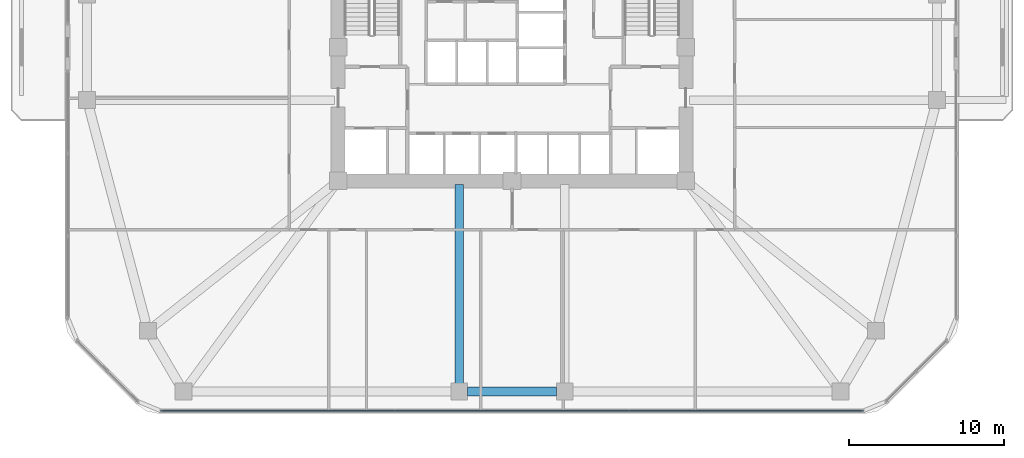
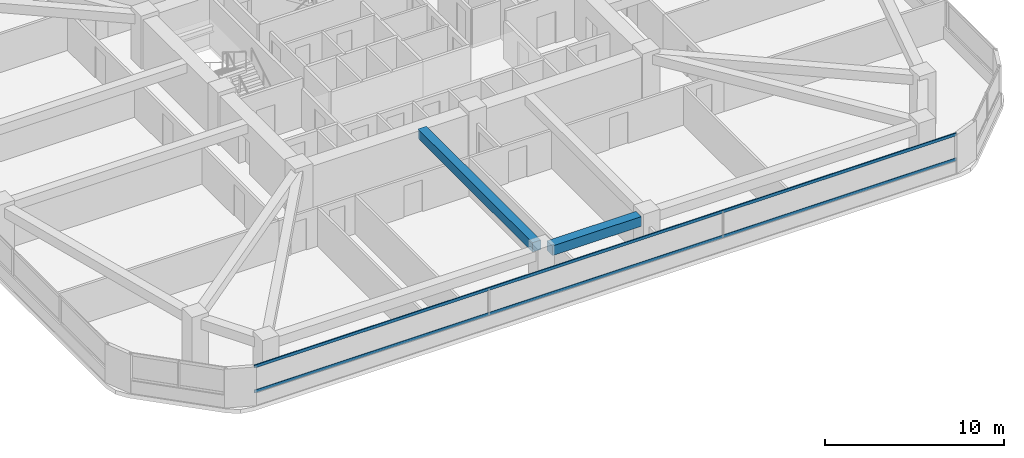
# One storey, part 3 of 15: 2 beams, 2 members, 1 element without a shape of its own.
"""IFC4 building model written with IfcOpenShell, lengths in metres."""

import ifcopenshell
import ifcopenshell.guid

model = None  # the IFC model being written
_history = None  # IfcOwnerHistory: only IFC2X3 demands one
_inside = {}  # id of a spatial element -> (the spatial element, [elements in it])
_under = {}  # id of a project, library or spatial element -> (it, [spatial elements below it])
_declared = {}  # id of a project -> (the project, [libraries it declares])
_typed = {}  # id of a type object -> (the type object, [elements of that type])
_made_of = {}  # id of a material, layer set ... -> (it, [elements and type objects made of it])


def new_model(schema):
    """Start an empty IFC model of exactly this schema.

    Asked for "IFC4X3", IfcOpenShell would pick the latest addendum, in which some entities
    have other attributes; the version numbers below select the first issue.
    IFC2X3 requires an IfcOwnerHistory on every rooted entity: one is made here for all.
    """
    global model, _history
    if schema == "IFC4X3":
        model = ifcopenshell.file(schema_version=(4, 3, 0, 0))
    else:
        model = ifcopenshell.file(schema=schema)
    _inside.clear()
    _under.clear()
    _declared.clear()
    _typed.clear()
    _made_of.clear()
    _history = None
    if model.schema == "IFC2X3":
        org = make("IfcOrganization", Name="unknown")
        user = make(
            "IfcPersonAndOrganization",
            ThePerson=make("IfcPerson", FamilyName="unknown"),
            TheOrganization=org,
        )
        app = make(
            "IfcApplication",
            ApplicationDeveloper=org,
            Version="unknown",
            ApplicationFullName="unknown",
            ApplicationIdentifier="unknown",
        )
        _history = make(
            "IfcOwnerHistory",
            OwningUser=user,
            OwningApplication=app,
            ChangeAction="ADDED",
            CreationDate=0,
        )
    return model


def make(cls, **values):
    """One entity of the class cls with the attributes given. An attribute that is None is left unset."""
    return model.create_entity(
        cls, **{name: value for name, value in values.items() if value is not None}
    )


def rooted(cls, **values):
    """An entity with a GlobalId (a new one), such as an element, a storey or a relation."""
    return make(cls, GlobalId=ifcopenshell.guid.new(), OwnerHistory=_history, **values)


def si_unit(unit_type, name, prefix=None):
    """IfcSIUnit, for example si_unit("LENGTHUNIT", "METRE", prefix="MILLI")."""
    return make("IfcSIUnit", UnitType=unit_type, Prefix=prefix, Name=name)


def derived_unit(unit_type, elements):
    """IfcDerivedUnit: a product of units, each with its exponent."""
    return make(
        "IfcDerivedUnit",
        Elements=[
            make("IfcDerivedUnitElement", Unit=unit, Exponent=power)
            for unit, power in elements
        ],
        UnitType=unit_type,
    )


def assignment(units):
    """IfcUnitAssignment: the units of a project."""
    return None if units is None else make("IfcUnitAssignment", Units=units)


def point(xyz):
    """IfcCartesianPoint."""
    return None if xyz is None else make("IfcCartesianPoint", Coordinates=xyz)


def direction(xyz):
    """IfcDirection."""
    return None if xyz is None else make("IfcDirection", DirectionRatios=xyz)


def frame(location, z_axis=None, x_axis=None):
    """IfcAxis2Placement3D, a coordinate frame: its origin and axes. An axis left out is left unset."""
    return make(
        "IfcAxis2Placement3D",
        Location=point(location),
        Axis=direction(z_axis),
        RefDirection=direction(x_axis),
    )


def frame_2d(location, x_axis=None):
    """IfcAxis2Placement2D, a coordinate frame in the plane: its origin and x axis."""
    return make(
        "IfcAxis2Placement2D", Location=point(location), RefDirection=direction(x_axis)
    )


def origin():
    """The frame at (0, 0, 0) with its axes left unset."""
    return frame((0.0, 0.0, 0.0))


def origin_2d():
    """The frame at (0, 0) in the plane with its x axis left unset."""
    return frame_2d((0.0, 0.0))


def place(relative_to, where):
    """IfcLocalPlacement: puts the frame where relative to a parent placement (None: the world)."""
    return make(
        "IfcLocalPlacement", PlacementRelTo=relative_to, RelativePlacement=where
    )


def context(
    kind, dimensions, precision=None, world=None, true_north=None, identifier=None
):
    """IfcGeometricRepresentationContext, for example the 3D "Model" context."""
    return make(
        "IfcGeometricRepresentationContext",
        ContextIdentifier=identifier,
        ContextType=kind,
        CoordinateSpaceDimension=dimensions,
        Precision=precision,
        WorldCoordinateSystem=world,
        TrueNorth=true_north,
    )


def subcontext(parent, identifier, kind, view, scale=None):
    """IfcGeometricRepresentationSubContext, for example "Body" below "Model"."""
    return make(
        "IfcGeometricRepresentationSubContext",
        ContextIdentifier=identifier,
        ContextType=kind,
        ParentContext=parent,
        TargetScale=scale,
        TargetView=view,
    )


def project(units=None, contexts=None):
    """IfcProject with its units and contexts."""
    return rooted(
        "IfcProject",
        Name="project",
        RepresentationContexts=contexts,
        UnitsInContext=assignment(units),
    )


def spatial(cls, under=None, at=None, **own):
    """A site, building, storey or space (cls), placed at a placement, below another one or the project."""
    s = rooted(cls, ObjectPlacement=at, **own)
    if under is not None:
        _under.setdefault(under.id(), (under, []))[1].append(s)
    return s


def profile(cls, at=None, kind="AREA", **sizes):
    """A parametric profile (cls). Its sizes go by their IFC names, for example OverallWidth=200.0."""
    return make(cls, ProfileType=kind, Position=at, **sizes)


def rectangle(**sizes):
    """IfcRectangleProfileDef."""
    return profile("IfcRectangleProfileDef", **sizes)


def extrude(swept, where, along, depth):
    """IfcExtrudedAreaSolid: the profile swept, set in the frame where, extruded along a direction by depth."""
    return make(
        "IfcExtrudedAreaSolid",
        SweptArea=swept,
        Position=where,
        ExtrudedDirection=direction(along),
        Depth=depth,
    )


def shape(context_of_items, identifier, shape_type, items):
    """IfcShapeRepresentation: the items that make up one representation, for example the "Body"."""
    return make(
        "IfcShapeRepresentation",
        ContextOfItems=context_of_items,
        RepresentationIdentifier=identifier,
        RepresentationType=shape_type,
        Items=items,
    )


def material(Name=None, Category=None):
    """IfcMaterial."""
    return make("IfcMaterial", Name=Name, Category=Category)


def material_profile(
    of_material, cross_section, Name=None, Category=None, Priority=None
):
    """IfcMaterialProfile: a cross section and its material."""
    return make(
        "IfcMaterialProfile",
        Name=Name,
        Material=of_material,
        Profile=cross_section,
        Priority=Priority,
        Category=Category,
    )


def profile_set(profiles, Name=None, composite=None):
    """IfcMaterialProfileSet."""
    return make(
        "IfcMaterialProfileSet",
        Name=Name,
        MaterialProfiles=profiles,
        CompositeProfile=composite,
    )


def made_of(thing, what):
    """Note that an element or type object is made of a material, layer set ...; save() writes the relation."""
    if what is not None:
        _made_of.setdefault(what.id(), (what, []))[1].append(thing)
    return thing


def type_object(cls, material=None, **own):
    """A type object (cls), such as IfcWallType, which elements share."""
    return made_of(rooted(cls, **own), material)


def element(
    cls,
    number,
    at=None,
    inside=None,
    cuts=None,
    type_object=None,
    material=None,
    context=None,
    identifier="Body",
    shape_type=None,
    held_by="IfcProductDefinitionShape",
    body=None,
    shapes=None,
    **own,
):
    """One element of the class cls, such as IfcWall. Its Tag is "e" and its number.

    at: its placement. inside: the storey or other place that contains it. cuts: it is an
    opening in that element (IfcRelVoidsElement). A single representation is given by context,
    identifier, shape_type and body (its items); several are given by shapes. held_by: the class
    of the entity that holds the representations. save() writes the other relations.
    """
    e = rooted(cls, Tag="e%d" % number, ObjectPlacement=at, **own)
    if body is not None:
        shapes = [shape(context, identifier, shape_type, body)]
    if shapes is not None:
        e.Representation = make(held_by, Representations=shapes)
    if inside is not None:
        _inside.setdefault(inside.id(), (inside, []))[1].append(e)
    if cuts is not None:
        rooted(
            "IfcRelVoidsElement", RelatingBuildingElement=cuts, RelatedOpeningElement=e
        )
    if type_object is not None:
        _typed.setdefault(type_object.id(), (type_object, []))[1].append(e)
    return made_of(e, material)


def aggregate(whole, parts):
    """IfcRelAggregates: a whole, such as a stair, and the parts it consists of."""
    return rooted("IfcRelAggregates", RelatingObject=whole, RelatedObjects=parts)


def save(model, path):
    """Write the relations noted so far, then the file.

    IfcRelAggregates (storeys below a building ...), IfcRelContainedInSpatialStructure (elements
    in a storey), IfcRelDefinesByType, IfcRelAssociatesMaterial and IfcRelDeclares: one each for
    every whole, place, type object, material and project.
    """
    for whole, parts in _under.values():
        aggregate(whole, parts)
    for where, things in _inside.values():
        rooted(
            "IfcRelContainedInSpatialStructure",
            RelatedElements=things,
            RelatingStructure=where,
        )
    for kind, things in _typed.values():
        rooted("IfcRelDefinesByType", RelatedObjects=things, RelatingType=kind)
    for what, things in _made_of.values():
        rooted("IfcRelAssociatesMaterial", RelatedObjects=things, RelatingMaterial=what)
    for by, libraries in _declared.values():
        rooted("IfcRelDeclares", RelatingContext=by, RelatedDefinitions=libraries)
    model.write(path)


model = new_model("IFC4")

# Units and contexts
model_context = context("Model", 3, precision=1e-05, world=origin(), true_north=direction((0.0, 1.0)))
body_context = subcontext(model_context, "Body", "Model", "MODEL_VIEW")
ifc_project = project(units=[si_unit("LENGTHUNIT", "METRE"), si_unit("AREAUNIT", "SQUARE_METRE"), si_unit("VOLUMEUNIT", "CUBIC_METRE"), si_unit("PLANEANGLEUNIT", "RADIAN"), si_unit("MASSUNIT", "GRAM", prefix="KILO"), derived_unit("THERMALTRANSMITTANCEUNIT", [(si_unit("POWERUNIT", "WATT"), 1), (si_unit("LENGTHUNIT", "METRE"), -2), (si_unit("THERMODYNAMICTEMPERATUREUNIT", "KELVIN"), -1)])], contexts=[model_context])

# Site, building, storey
site_placement = place(None, origin())
site = spatial("IfcSite", under=ifc_project, at=site_placement, CompositionType="ELEMENT")
building_placement = place(site_placement, origin())
building = spatial("IfcBuilding", under=site, at=building_placement, Name="Koralith Skygarden Medical Center", CompositionType="ELEMENT")
storey_placement = place(building_placement, frame((0.0, 0.0, 27.5400390625)))
storey = spatial("IfcBuildingStorey", under=building, at=storey_placement, Name="L06", CompositionType="ELEMENT", Elevation=27.5400390625)

# Curtain wall, members
ifc_material_1 = material(Name="Clear Laminated Glass", Category="glass")
curtain_wall_type = type_object("IfcCurtainWallType", Name="CW-2 Zone 1 Hurricane Unitised Curtain Wall", PredefinedType="NOTDEFINED", material=ifc_material_1)
curtain_wall_placement = place(storey_placement, origin())
curtain_wall = element("IfcCurtainWall", 1, at=curtain_wall_placement, inside=storey, type_object=curtain_wall_type, Name="Curtain Wall CW-L06-S", PredefinedType="NOTDEFINED")
ifc_material_2 = material(Name="Aluminium 6063-T6", Category="aluminium")
ifc_material_profile_1 = material_profile(ifc_material_2, rectangle(XDim=0.06591796875, YDim=0.197998046875, at=origin_2d()), Name="TRN66X198")
ifc_profile_set_1 = profile_set([ifc_material_profile_1], Name="Aluminium 6063-T6")
member_type = type_object("IfcMemberType", Name="CW-2 Thermal Transom 66x198", PredefinedType="USERDEFINED", material=ifc_profile_set_1)
member_1_placement = place(storey_placement, frame((14.35498046875, 2.47998046875, 0.89990234375), z_axis=(1.0, 0.0, 0.0), x_axis=(0.0, 1.0, 0.0)))
member_1 = element("IfcMember", 2, at=member_1_placement, type_object=member_type, Name="CW-L06-S Transom 1", ObjectType="TRANSOM", PredefinedType="USERDEFINED", context=body_context, shape_type="SweptSolid", body=[
    extrude(rectangle(XDim=0.06591796875, YDim=0.197998046875, at=origin_2d()), origin(), (0.0, 0.0, 1.0), 45.2900390625),
])
member_2_placement = place(storey_placement, frame((14.35498046875, 2.47998046875, 2.599853515625), z_axis=(1.0, 0.0, 0.0), x_axis=(0.0, 1.0, 0.0)))
member_2 = element("IfcMember", 3, at=member_2_placement, type_object=member_type, Name="CW-L06-S Transom 2", ObjectType="TRANSOM", PredefinedType="USERDEFINED", context=body_context, shape_type="SweptSolid", body=[
    extrude(rectangle(XDim=0.06591796875, YDim=0.197998046875, at=origin_2d()), origin(), (0.0, 0.0, 1.0), 45.2900390625),
])
aggregate(curtain_wall, [member_1, member_2])

# Beams
ifc_material_3 = material(Name="Concrete C45/55", Category="concrete")
ifc_material_profile_2 = material_profile(ifc_material_3, rectangle(XDim=0.550048828125, YDim=0.639892578125, at=origin_2d()), Name="RCB550X640")
ifc_profile_set_2 = profile_set([ifc_material_profile_2], Name="Concrete C45/55")
beam_type_1 = type_object("IfcBeamType", Name="Radial Collector Beam RCB550X640", PredefinedType="BEAM", material=ifc_profile_set_2)
beam_1_placement = place(storey_placement, frame((33.60009765625, 17.050048828125, 3.0), z_axis=(0.0, -1.0, 0.0), x_axis=(1.0, 0.0, 0.0)))
element("IfcBeam", 4, at=beam_1_placement, inside=storey, type_object=beam_type_1, Name="L06 Radial Collector Beam RB-04", PredefinedType="BEAM", context=body_context, shape_type="SweptSolid", body=[
    extrude(rectangle(XDim=0.550048828125, YDim=0.639892578125, at=origin_2d()), origin(), (0.0, 0.0, 1.0), 12.800048828125),
])
ifc_material_profile_3 = material_profile(ifc_material_3, rectangle(XDim=0.60009765625, YDim=0.659912109375, at=origin_2d()), Name="RCB600X660")
ifc_profile_set_3 = profile_set([ifc_material_profile_3], Name="Concrete C45/55")
beam_type_2 = type_object("IfcBeamType", Name="Zone 1 Spandrel Beam RCB600X660", PredefinedType="SPANDREL", material=ifc_profile_set_3)
beam_2_placement = place(storey_placement, frame((34.1298828125, 3.719970703125, 2.989990234375), z_axis=(1.0, 0.0, 0.0), x_axis=(0.0, 1.0, 0.0)))
element("IfcBeam", 5, at=beam_2_placement, inside=storey, type_object=beam_type_2, Name="L06 Perimeter Spandrel Beam SP-04", PredefinedType="SPANDREL", context=body_context, shape_type="SweptSolid", body=[
    extrude(rectangle(XDim=0.60009765625, YDim=0.659912109375, at=origin_2d()), origin(), (0.0, 0.0, 1.0), 5.740234375),
])

save(model, "model.ifc")
